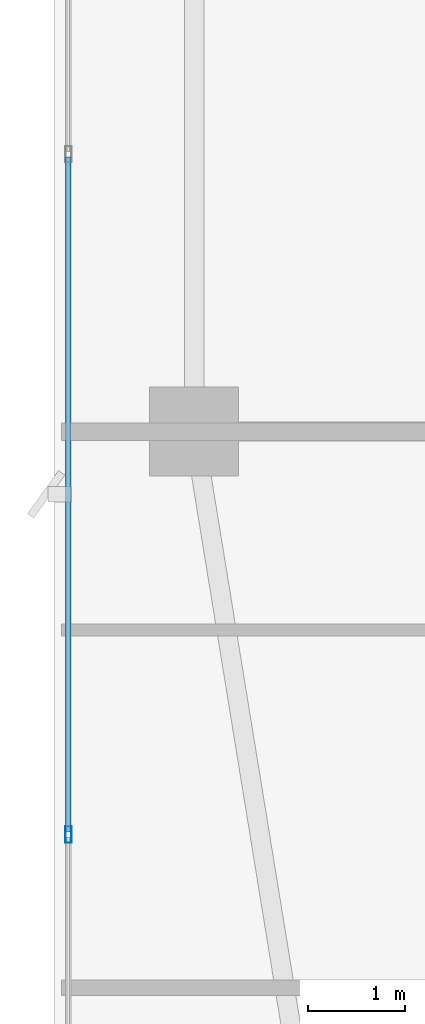
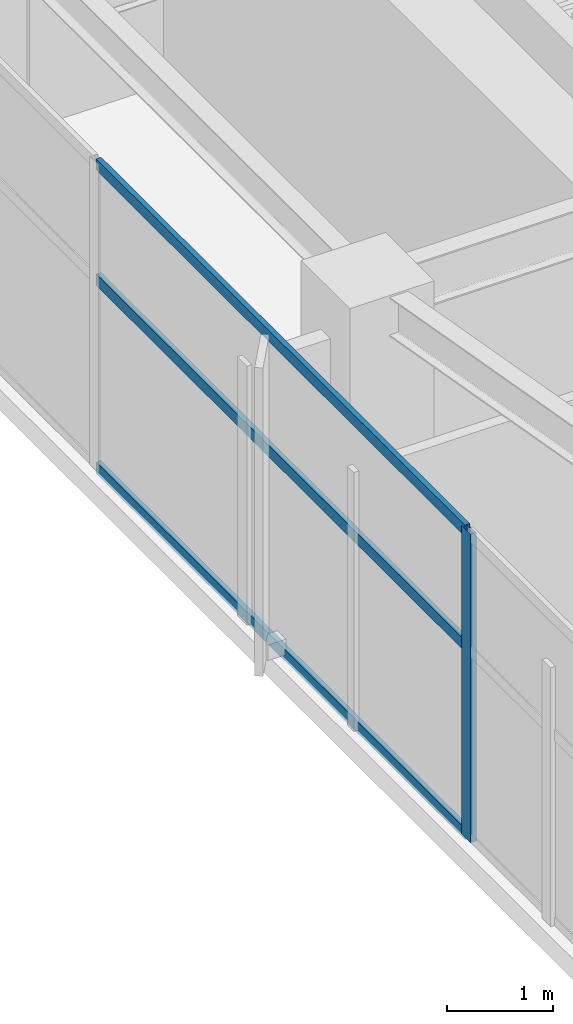
# One storey, part 5 of 29: 4 members, 1 element without a shape of its own.
"""IFC4 building model written with IfcOpenShell, lengths in metres."""

import ifcopenshell
import ifcopenshell.guid

model = None  # the IFC model being written
_history = None  # IfcOwnerHistory: only IFC2X3 demands one
_inside = {}  # id of a spatial element -> (the spatial element, [elements in it])
_under = {}  # id of a project, library or spatial element -> (it, [spatial elements below it])
_declared = {}  # id of a project -> (the project, [libraries it declares])
_typed = {}  # id of a type object -> (the type object, [elements of that type])
_made_of = {}  # id of a material, layer set ... -> (it, [elements and type objects made of it])


def new_model(schema):
    """Start an empty IFC model of exactly this schema.

    Asked for "IFC4X3", IfcOpenShell would pick the latest addendum, in which some entities
    have other attributes; the version numbers below select the first issue.
    IFC2X3 requires an IfcOwnerHistory on every rooted entity: one is made here for all.
    """
    global model, _history
    if schema == "IFC4X3":
        model = ifcopenshell.file(schema_version=(4, 3, 0, 0))
    else:
        model = ifcopenshell.file(schema=schema)
    _inside.clear()
    _under.clear()
    _declared.clear()
    _typed.clear()
    _made_of.clear()
    _history = None
    if model.schema == "IFC2X3":
        org = make("IfcOrganization", Name="unknown")
        user = make(
            "IfcPersonAndOrganization",
            ThePerson=make("IfcPerson", FamilyName="unknown"),
            TheOrganization=org,
        )
        app = make(
            "IfcApplication",
            ApplicationDeveloper=org,
            Version="unknown",
            ApplicationFullName="unknown",
            ApplicationIdentifier="unknown",
        )
        _history = make(
            "IfcOwnerHistory",
            OwningUser=user,
            OwningApplication=app,
            ChangeAction="ADDED",
            CreationDate=0,
        )
    return model


def make(cls, **values):
    """One entity of the class cls with the attributes given. An attribute that is None is left unset."""
    return model.create_entity(
        cls, **{name: value for name, value in values.items() if value is not None}
    )


def rooted(cls, **values):
    """An entity with a GlobalId (a new one), such as an element, a storey or a relation."""
    return make(cls, GlobalId=ifcopenshell.guid.new(), OwnerHistory=_history, **values)


def si_unit(unit_type, name, prefix=None):
    """IfcSIUnit, for example si_unit("LENGTHUNIT", "METRE", prefix="MILLI")."""
    return make("IfcSIUnit", UnitType=unit_type, Prefix=prefix, Name=name)


def assignment(units):
    """IfcUnitAssignment: the units of a project."""
    return None if units is None else make("IfcUnitAssignment", Units=units)


def point(xyz):
    """IfcCartesianPoint."""
    return None if xyz is None else make("IfcCartesianPoint", Coordinates=xyz)


def direction(xyz):
    """IfcDirection."""
    return None if xyz is None else make("IfcDirection", DirectionRatios=xyz)


def frame(location, z_axis=None, x_axis=None):
    """IfcAxis2Placement3D, a coordinate frame: its origin and axes. An axis left out is left unset."""
    return make(
        "IfcAxis2Placement3D",
        Location=point(location),
        Axis=direction(z_axis),
        RefDirection=direction(x_axis),
    )


def frame_2d(location, x_axis=None):
    """IfcAxis2Placement2D, a coordinate frame in the plane: its origin and x axis."""
    return make(
        "IfcAxis2Placement2D", Location=point(location), RefDirection=direction(x_axis)
    )


def origin():
    """The frame at (0, 0, 0) with its axes left unset."""
    return frame((0.0, 0.0, 0.0))


def origin_2d():
    """The frame at (0, 0) in the plane with its x axis left unset."""
    return frame_2d((0.0, 0.0))


def place(relative_to, where):
    """IfcLocalPlacement: puts the frame where relative to a parent placement (None: the world)."""
    return make(
        "IfcLocalPlacement", PlacementRelTo=relative_to, RelativePlacement=where
    )


def context(
    kind, dimensions, precision=None, world=None, true_north=None, identifier=None
):
    """IfcGeometricRepresentationContext, for example the 3D "Model" context."""
    return make(
        "IfcGeometricRepresentationContext",
        ContextIdentifier=identifier,
        ContextType=kind,
        CoordinateSpaceDimension=dimensions,
        Precision=precision,
        WorldCoordinateSystem=world,
        TrueNorth=true_north,
    )


def subcontext(parent, identifier, kind, view, scale=None):
    """IfcGeometricRepresentationSubContext, for example "Body" below "Model"."""
    return make(
        "IfcGeometricRepresentationSubContext",
        ContextIdentifier=identifier,
        ContextType=kind,
        ParentContext=parent,
        TargetScale=scale,
        TargetView=view,
    )


def project(units=None, contexts=None):
    """IfcProject with its units and contexts."""
    return rooted(
        "IfcProject",
        Name="project",
        RepresentationContexts=contexts,
        UnitsInContext=assignment(units),
    )


def spatial(cls, under=None, at=None, **own):
    """A site, building, storey or space (cls), placed at a placement, below another one or the project."""
    s = rooted(cls, ObjectPlacement=at, **own)
    if under is not None:
        _under.setdefault(under.id(), (under, []))[1].append(s)
    return s


def profile(cls, at=None, kind="AREA", **sizes):
    """A parametric profile (cls). Its sizes go by their IFC names, for example OverallWidth=200.0."""
    return make(cls, ProfileType=kind, Position=at, **sizes)


def hollow_rectangle(**sizes):
    """IfcRectangleHollowProfileDef."""
    return profile("IfcRectangleHollowProfileDef", **sizes)


def extrude(swept, where, along, depth):
    """IfcExtrudedAreaSolid: the profile swept, set in the frame where, extruded along a direction by depth."""
    return make(
        "IfcExtrudedAreaSolid",
        SweptArea=swept,
        Position=where,
        ExtrudedDirection=direction(along),
        Depth=depth,
    )


def shape(context_of_items, identifier, shape_type, items):
    """IfcShapeRepresentation: the items that make up one representation, for example the "Body"."""
    return make(
        "IfcShapeRepresentation",
        ContextOfItems=context_of_items,
        RepresentationIdentifier=identifier,
        RepresentationType=shape_type,
        Items=items,
    )


def material(Name=None, Category=None):
    """IfcMaterial."""
    return make("IfcMaterial", Name=Name, Category=Category)


def layer(
    of_material, thickness, ventilated=None, Name=None, Category=None, Priority=None
):
    """IfcMaterialLayer: one layer of a wall or slab, of a material (None: an air gap)."""
    return make(
        "IfcMaterialLayer",
        Material=of_material,
        LayerThickness=thickness,
        IsVentilated=ventilated,
        Name=Name,
        Category=Category,
        Priority=Priority,
    )


def layer_set(layers, Name=None):
    """IfcMaterialLayerSet."""
    return make("IfcMaterialLayerSet", MaterialLayers=layers, LayerSetName=Name)


def material_profile(
    of_material, cross_section, Name=None, Category=None, Priority=None
):
    """IfcMaterialProfile: a cross section and its material."""
    return make(
        "IfcMaterialProfile",
        Name=Name,
        Material=of_material,
        Profile=cross_section,
        Priority=Priority,
        Category=Category,
    )


def profile_set(profiles, Name=None, composite=None):
    """IfcMaterialProfileSet."""
    return make(
        "IfcMaterialProfileSet",
        Name=Name,
        MaterialProfiles=profiles,
        CompositeProfile=composite,
    )


def made_of(thing, what):
    """Note that an element or type object is made of a material, layer set ...; save() writes the relation."""
    if what is not None:
        _made_of.setdefault(what.id(), (what, []))[1].append(thing)
    return thing


def type_object(cls, material=None, **own):
    """A type object (cls), such as IfcWallType, which elements share."""
    return made_of(rooted(cls, **own), material)


def element(
    cls,
    number,
    at=None,
    inside=None,
    cuts=None,
    type_object=None,
    material=None,
    context=None,
    identifier="Body",
    shape_type=None,
    held_by="IfcProductDefinitionShape",
    body=None,
    shapes=None,
    **own,
):
    """One element of the class cls, such as IfcWall. Its Tag is "e" and its number.

    at: its placement. inside: the storey or other place that contains it. cuts: it is an
    opening in that element (IfcRelVoidsElement). A single representation is given by context,
    identifier, shape_type and body (its items); several are given by shapes. held_by: the class
    of the entity that holds the representations. save() writes the other relations.
    """
    e = rooted(cls, Tag="e%d" % number, ObjectPlacement=at, **own)
    if body is not None:
        shapes = [shape(context, identifier, shape_type, body)]
    if shapes is not None:
        e.Representation = make(held_by, Representations=shapes)
    if inside is not None:
        _inside.setdefault(inside.id(), (inside, []))[1].append(e)
    if cuts is not None:
        rooted(
            "IfcRelVoidsElement", RelatingBuildingElement=cuts, RelatedOpeningElement=e
        )
    if type_object is not None:
        _typed.setdefault(type_object.id(), (type_object, []))[1].append(e)
    return made_of(e, material)


def aggregate(whole, parts):
    """IfcRelAggregates: a whole, such as a stair, and the parts it consists of."""
    return rooted("IfcRelAggregates", RelatingObject=whole, RelatedObjects=parts)


def save(model, path):
    """Write the relations noted so far, then the file.

    IfcRelAggregates (storeys below a building ...), IfcRelContainedInSpatialStructure (elements
    in a storey), IfcRelDefinesByType, IfcRelAssociatesMaterial and IfcRelDeclares: one each for
    every whole, place, type object, material and project.
    """
    for whole, parts in _under.values():
        aggregate(whole, parts)
    for where, things in _inside.values():
        rooted(
            "IfcRelContainedInSpatialStructure",
            RelatedElements=things,
            RelatingStructure=where,
        )
    for kind, things in _typed.values():
        rooted("IfcRelDefinesByType", RelatedObjects=things, RelatingType=kind)
    for what, things in _made_of.values():
        rooted("IfcRelAssociatesMaterial", RelatedObjects=things, RelatingMaterial=what)
    for by, libraries in _declared.values():
        rooted("IfcRelDeclares", RelatingContext=by, RelatedDefinitions=libraries)
    model.write(path)


model = new_model("IFC4")

# Units and contexts
model_context = context("Model", 3, precision=1e-05, world=origin(), true_north=direction((0.0, 1.0)))
body_context = subcontext(model_context, "Body", "Model", "MODEL_VIEW")
ifc_project = project(units=[si_unit("LENGTHUNIT", "METRE"), si_unit("AREAUNIT", "SQUARE_METRE"), si_unit("VOLUMEUNIT", "CUBIC_METRE"), si_unit("PLANEANGLEUNIT", "RADIAN"), si_unit("MASSUNIT", "GRAM", prefix="KILO")], contexts=[model_context])

# Site, building, storey
site_placement = place(None, origin())
site = spatial("IfcSite", under=ifc_project, at=site_placement, CompositionType="ELEMENT")
building_placement = place(site_placement, origin())
building = spatial("IfcBuilding", under=site, at=building_placement, Name="Calvorn Quay Hotel", CompositionType="ELEMENT")
storey_placement = place(building_placement, frame((0.0, 0.0, 255.199951171875)))
storey = spatial("IfcBuildingStorey", under=building, at=storey_placement, Name="L63", CompositionType="ELEMENT", Elevation=255.199951171875)

# Curtain wall, members
ifc_material_1 = material(Name="Champagne Bronze Anodised Aluminium and Low-E Glass", Category="aluminium")
ifc_layer = layer(ifc_material_1, 0.219970703125)
ifc_layer_set = layer_set([ifc_layer], Name="CW-SYS-Z4")
curtain_wall_type = type_object("IfcCurtainWallType", Name="CW-SYS-Z4", PredefinedType="NOTDEFINED", material=ifc_layer_set)
curtain_wall_placement = place(storey_placement, origin())
curtain_wall = element("IfcCurtainWall", 1, at=curtain_wall_placement, inside=storey, type_object=curtain_wall_type, Name="Tower West Curtain Wall (L63)", PredefinedType="NOTDEFINED")
ifc_material_2 = material(Name="Champagne Bronze Anodised Aluminium 6063-T6", Category="aluminium")
ifc_material_profile_1 = material_profile(ifc_material_2, hollow_rectangle(XDim=0.06494140625, YDim=0.169921875, WallThickness=0.00341796875, at=origin_2d()), Name="ALU-M170x65x3.5")
ifc_profile_set_1 = profile_set([ifc_material_profile_1], Name="Champagne Bronze Anodised Aluminium 6063-T6")
member_type_1 = type_object("IfcMemberType", Name="CW-SYS-Z4-MUL", PredefinedType="MULLION", material=ifc_profile_set_1)
member_1_placement = place(storey_placement, frame((0.14990234375, 12.63330078125, 0.0), z_axis=(0.0, 0.0, 1.0), x_axis=(-1.0, 0.0, 0.0)))
member_1 = element("IfcMember", 2, at=member_1_placement, type_object=member_type_1, Name="CW-L63-W mullion 2", PredefinedType="MULLION", context=body_context, shape_type="SweptSolid", body=[
    extrude(hollow_rectangle(XDim=0.06494140625, YDim=0.169921875, WallThickness=0.00341796875, at=origin_2d()), origin(), (0.0, 0.0, 1.0), 3.56005859375),
])
ifc_material_3 = material(Name="Champagne Bronze Anodised Aluminium 6063-T6", Category="aluminium")
ifc_material_profile_2 = material_profile(ifc_material_3, hollow_rectangle(XDim=0.054931640625, YDim=0.1298828125, WallThickness=0.003173828125, at=origin_2d()), Name="ALU-T130x55x3.2")
ifc_profile_set_2 = profile_set([ifc_material_profile_2], Name="Champagne Bronze Anodised Aluminium 6063-T6")
member_type_2 = type_object("IfcMemberType", Name="CW-SYS-Z4-TRN", PredefinedType="USERDEFINED", material=ifc_profile_set_2)
member_2_placement = place(storey_placement, frame((0.14990234375, 12.663330078125, 0.030029296875), z_axis=(0.0, 1.0, 0.0), x_axis=(-1.0, 0.0, 0.0)))
member_2 = element("IfcMember", 3, at=member_2_placement, type_object=member_type_2, Name="CW-L63-W transom 2.1", ObjectType="TRANSOM", PredefinedType="USERDEFINED", context=body_context, shape_type="SweptSolid", body=[
    extrude(hollow_rectangle(XDim=0.054931640625, YDim=0.1298828125, WallThickness=0.003173828125, at=origin_2d()), origin(), (0.0, 0.0, 1.0), 6.973388671875),
])
member_3_placement = place(storey_placement, frame((0.14990234375, 12.663330078125, 2.199951171875), z_axis=(0.0, 1.0, 0.0), x_axis=(-1.0, 0.0, 0.0)))
member_3 = element("IfcMember", 4, at=member_3_placement, type_object=member_type_2, Name="CW-L63-W transom 2.2", ObjectType="TRANSOM", PredefinedType="USERDEFINED", context=body_context, shape_type="SweptSolid", body=[
    extrude(hollow_rectangle(XDim=0.054931640625, YDim=0.1298828125, WallThickness=0.003173828125, at=origin_2d()), origin(), (0.0, 0.0, 1.0), 6.973388671875),
])
member_4_placement = place(storey_placement, frame((0.14990234375, 12.663330078125, 3.530029296875), z_axis=(0.0, 1.0, 0.0), x_axis=(-1.0, 0.0, 0.0)))
member_4 = element("IfcMember", 5, at=member_4_placement, type_object=member_type_2, Name="CW-L63-W transom 2.3", ObjectType="TRANSOM", PredefinedType="USERDEFINED", context=body_context, shape_type="SweptSolid", body=[
    extrude(hollow_rectangle(XDim=0.054931640625, YDim=0.1298828125, WallThickness=0.003173828125, at=origin_2d()), origin(), (0.0, 0.0, 1.0), 6.973388671875),
])
aggregate(curtain_wall, [member_1, member_2, member_3, member_4])

save(model, "model.ifc")
